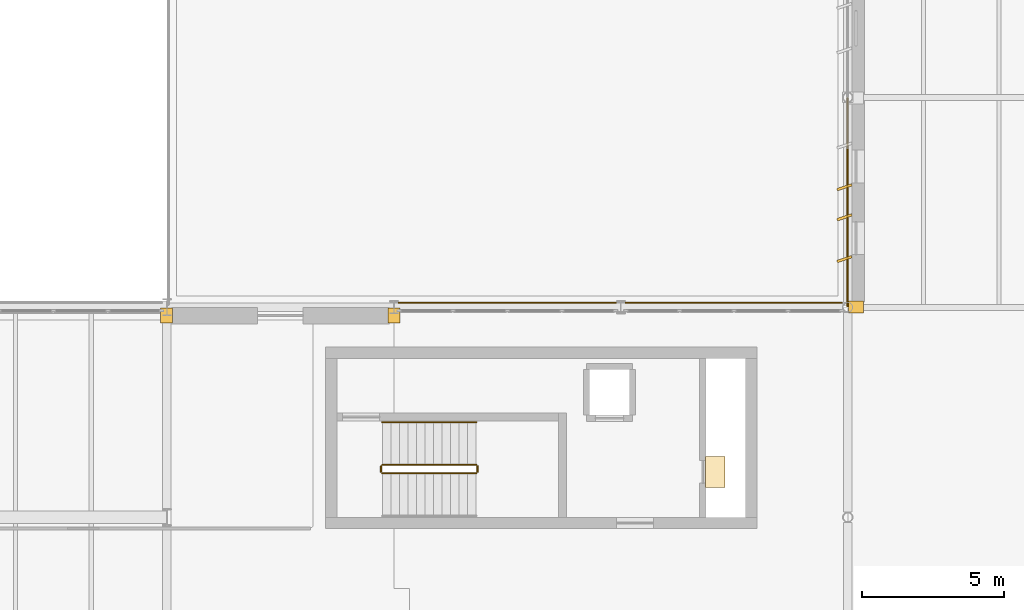
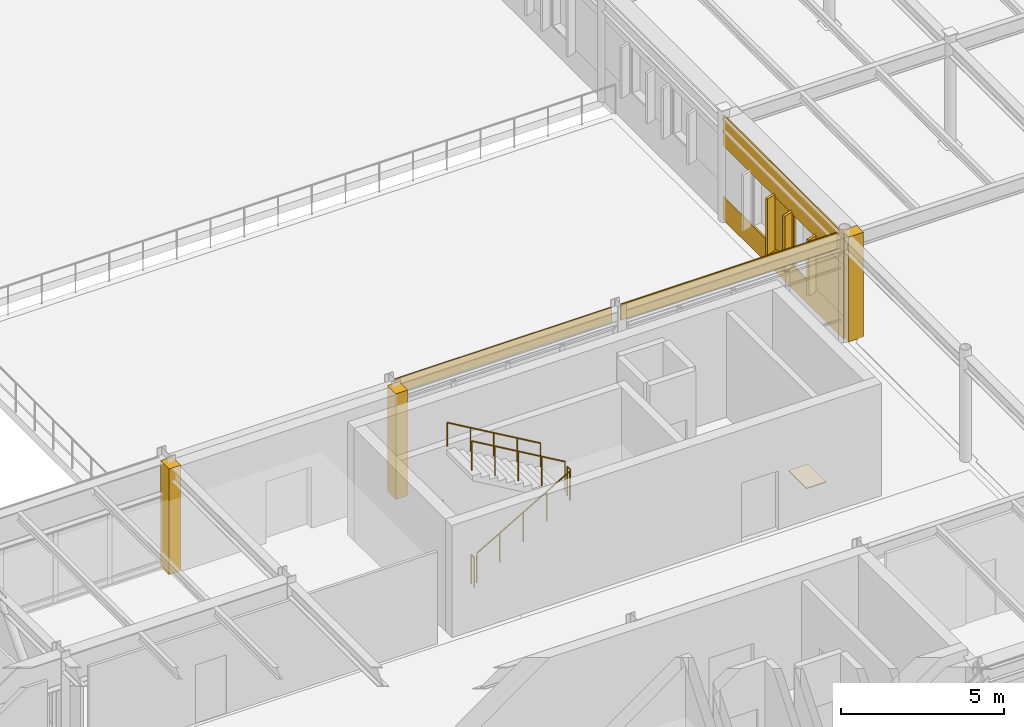
# One storey, part 53 of 63: 13 coverings, 5 railings.
"""IFC4 building model written with IfcOpenShell, lengths in metres."""

from ifc_helpers import new_model, si_unit, direction, frame, frame_2d, origin, origin_2d, place, context, subcontext, project, spatial, polyline, rectangle, circle, outline, extrude, material, layer, layer_set, type_object, element, save


model = new_model("IFC4")

# Units and contexts
model_context = context("Model", 3, precision=1e-05, world=origin(), true_north=direction((0.0, 1.0)))
body_context = subcontext(model_context, "Body", "Model", "MODEL_VIEW")
ifc_project = project(units=[si_unit("LENGTHUNIT", "METRE"), si_unit("AREAUNIT", "SQUARE_METRE"), si_unit("VOLUMEUNIT", "CUBIC_METRE"), si_unit("PLANEANGLEUNIT", "RADIAN"), si_unit("MASSUNIT", "GRAM", prefix="KILO")], contexts=[model_context])

# Site, building, storey
site_placement = place(None, origin())
site = spatial("IfcSite", under=ifc_project, at=site_placement, CompositionType="ELEMENT")
building_placement = place(site_placement, origin())
building = spatial("IfcBuilding", under=site, at=building_placement, Name="Valkorina Park Police Headquarters", CompositionType="ELEMENT")
storey_placement = place(building_placement, frame((0.0, 0.0, 9.89990234375)))
storey = spatial("IfcBuildingStorey", under=building, at=storey_placement, Name="L03", CompositionType="ELEMENT", Elevation=9.89990234375)

# Coverings
ifc_material_1 = material(Name="Precast concrete C40/50", Category="concrete")
ifc_layer_1 = layer(ifc_material_1, 0.044921875)
ifc_layer_set_1 = layer_set([ifc_layer_1], Name="Precast concrete C40/50")
covering_type_1 = type_object("IfcCoveringType", Name="COV-CLAD-DOLOMITE", PredefinedType="CLADDING", material=ifc_layer_set_1)
for number, where, z_axis, x_axis, name in (
    (1, (32.7900390625, 58.909912109375, 0.0), (0.0, 0.0, 1.0), (1.0, 0.0, 0.0), "L03 Exterior Joint Closure Pilaster A 1743"),
    (2, (40.81005859375, 58.909912109375, 0.0), (0.0, 0.0, 1.0), (1.0, 0.0, 0.0), "L03 Exterior Joint Closure Pilaster B 1744"),
):
    element("IfcCovering", number, at=place(storey_placement, frame(where, z_axis=z_axis, x_axis=x_axis)), inside=storey, type_object=covering_type_1, Name=name, PredefinedType="CLADDING", context=body_context, shape_type="SweptSolid", body=[
        extrude(rectangle(XDim=0.419921875, YDim=0.52197265625, at=origin_2d()), origin(), (0.0, 0.0, 1.0), 3.955078125),
    ])
covering_1_placement = place(storey_placement, frame((40.9599609375, 59.360107421875, 3.420166015625), z_axis=(0.0, 0.0, 1.0), x_axis=(1.0, 0.0, 0.0)))
element("IfcCovering", 3, at=covering_1_placement, inside=storey, type_object=covering_type_1, Name="L03 Spandrel Beam Insulated Fascia 1745", PredefinedType="CLADDING", context=body_context, shape_type="SweptSolid", body=[
    extrude(rectangle(XDim=7.679931640625, YDim=0.044921875, at=frame_2d((3.83984375, 0.0))), origin(), (0.0, 0.0, 1.0), 0.534912109375),
])
covering_2_placement = place(storey_placement, frame((48.9599609375, 59.360107421875, 3.360107421875), z_axis=(0.0, 0.0, 1.0), x_axis=(1.0, 0.0, 0.0)))
element("IfcCovering", 4, at=covering_2_placement, inside=storey, type_object=covering_type_1, Name="L03 Spandrel Beam Insulated Fascia 1746", PredefinedType="CLADDING", context=body_context, shape_type="SweptSolid", body=[
    extrude(rectangle(XDim=7.65234375, YDim=0.044921875, at=frame_2d((3.826171875, 0.0))), origin(), (0.0, 0.0, 1.0), 0.594970703125),
])
covering_3_placement = place(storey_placement, frame((57.090087890625, 59.2177734375, 0.000244140625), z_axis=(0.0, 0.0, 1.0), x_axis=(0.0, 1.0, 0.0)))
element("IfcCovering", 5, at=covering_3_placement, inside=storey, type_object=covering_type_1, Name="L03 Exterior Joint Closure Pilaster A 1747", PredefinedType="CLADDING", context=body_context, shape_type="SweptSolid", body=[
    extrude(rectangle(XDim=0.419921875, YDim=0.52197265625, at=origin_2d()), origin(), (0.0, 0.0, 1.0), 3.919921875),
])
for number, where, z_axis, x_axis, name in (
    (6, (56.679931640625, 60.900634765625, 0.7802734375), (0.0, 0.0, 1.0), (-0.948323655206, -0.317304656405, 0.0), "Slanted 18.5-deg Precast Window Slot Fin 1749"),
    (7, (56.679931640625, 62.37060546875, 0.7802734375), (0.0, 0.0, 1.0), (-0.948323655206, -0.317304656405, 0.0), "Slanted 18.5-deg Precast Window Slot Fin 1750"),
    (8, (56.679931640625, 63.429443359375, 0.7802734375), (0.0, 0.0, 1.0), (-0.948323655206, -0.317304656405, 0.0), "Slanted 18.5-deg Precast Window Slot Fin 1751"),
):
    element("IfcCovering", number, at=place(storey_placement, frame(where, z_axis=z_axis, x_axis=x_axis)), inside=storey, type_object=covering_type_1, Name=name, PredefinedType="CLADDING", context=body_context, shape_type="SweptSolid", body=[
        extrude(rectangle(XDim=0.5400390625, YDim=0.090087890625, at=origin_2d()), origin(), (0.0, 0.0, 1.0), 2.090087890625),
    ])
covering_4_placement = place(storey_placement, frame((56.784912109375, 59.219970703125, 0.0), z_axis=(0.0, 0.0, 1.0), x_axis=(0.0, 1.0, 0.0)))
element("IfcCovering", 9, at=covering_4_placement, inside=storey, type_object=covering_type_1, Name="L03 Calm Concrete Base Sill Spandrel 1753", PredefinedType="CLADDING", context=body_context, shape_type="SweptSolid", body=[
    extrude(rectangle(XDim=7.360107421875, YDim=0.044921875, at=frame_2d((3.68017578125, 0.0))), origin(), (0.0, 0.0, 1.0), 0.8701171875),
])
covering_5_placement = place(storey_placement, frame((56.784912109375, 59.219970703125, 2.780029296875), z_axis=(0.0, 0.0, 1.0), x_axis=(0.0, 1.0, 0.0)))
element("IfcCovering", 10, at=covering_5_placement, inside=storey, type_object=covering_type_1, Name="L03 Calm Concrete Base Lintel Spandrel 1754", PredefinedType="CLADDING", context=body_context, shape_type="SweptSolid", body=[
    extrude(rectangle(XDim=7.360107421875, YDim=0.044921875, at=frame_2d((3.68017578125, 0.0))), origin(), (0.0, 0.0, 1.0), 1.14013671875),
])
covering_6_placement = place(storey_placement, frame((56.784912109375, 59.219970703125, 0.8701171875), z_axis=(0.0, 0.0, 1.0), x_axis=(0.0, 1.0, 0.0)))
element("IfcCovering", 11, at=covering_6_placement, inside=storey, type_object=covering_type_1, Name="L03 Calm Concrete Base Slot Pier 1755", PredefinedType="CLADDING", context=body_context, shape_type="SweptSolid", body=[
    extrude(rectangle(XDim=1.79052734375, YDim=0.044921875, at=frame_2d((0.895263671875, 0.0))), origin(), (0.0, 0.0, 1.0), 1.909912109375),
])
covering_7_placement = place(storey_placement, frame((56.784912109375, 62.260498046875, 0.8701171875), z_axis=(0.0, 0.0, 1.0), x_axis=(0.0, 1.0, 0.0)))
element("IfcCovering", 12, at=covering_7_placement, inside=storey, type_object=covering_type_1, Name="L03 Calm Concrete Base Slot Pier 1756", PredefinedType="CLADDING", context=body_context, shape_type="SweptSolid", body=[
    extrude(rectangle(XDim=1.27880859375, YDim=0.044921875, at=frame_2d((0.639404296875, 0.0))), origin(), (0.0, 0.0, 1.0), 1.909912109375),
])
ifc_material_2 = material(Name="Resin terrazzo flooring")
ifc_layer_2 = layer(ifc_material_2, 0.030029296875)
ifc_layer_set_2 = layer_set([ifc_layer_2], Name="Resin terrazzo flooring")
covering_type_2 = type_object("IfcCoveringType", Name="COV-FLOOR-TERRAZZO", PredefinedType="FLOORING", material=ifc_layer_set_2)
covering_8_placement = place(storey_placement, origin())
element("IfcCovering", 13, at=covering_8_placement, inside=storey, type_object=covering_type_2, Name="Core C3 L03 Riser Inspection Threshold Grate", PredefinedType="FLOORING", context=body_context, shape_type="SweptSolid", body=[
    extrude(outline(polyline([(52.47998046875, 52.85009765625), (52.47998046875, 53.949951171875), (51.780029296875, 53.949951171875), (51.780029296875, 52.85009765625), (52.47998046875, 52.85009765625)])), origin(), (0.0, 0.0, 1.0), 0.030029296875),
])

# Railings
ifc_material_3 = material(Name="Stainless steel EN 1.4404", Category="steel")
railing_type_1 = type_object("IfcRailingType", Name="RL-GUARD-INT-1100", PredefinedType="BALUSTRADE", material=ifc_material_3)
railing_1_placement = place(storey_placement, frame((40.39990234375, 53.35009765625, 0.175048828125)))
element("IfcRailing", 14, at=railing_1_placement, inside=storey, type_object=railing_type_1, Name="L03 Core C3 Stair Guard 1", PredefinedType="BALUSTRADE", context=body_context, shape_type="SweptSolid", body=[
    extrude(circle(Radius=0.02392578125, at=origin_2d()), frame((0.0, 0.0, 1.09619140625), z_axis=(0.863776583165, 0.0, 0.503874998761), x_axis=(0.0, 1.0, 0.0)), (0.0, 0.0, 1.0), 3.820556640625),
    extrude(circle(Radius=0.02099609375, at=origin_2d()), origin(), (0.0, 0.0, 1.0), 1.072021484375),
    extrude(circle(Radius=0.02099609375, at=origin_2d()), frame((0.824951171875, 0.0, 0.481201171875)), (0.0, 0.0, 1.0), 1.072021484375),
    extrude(circle(Radius=0.02099609375, at=origin_2d()), frame((1.64990234375, 0.0, 0.96240234375)), (0.0, 0.0, 1.0), 1.072021484375),
    extrude(circle(Radius=0.02099609375, at=origin_2d()), frame((2.47509765625, 0.0, 1.44384765625)), (0.0, 0.0, 1.0), 1.072021484375),
    extrude(circle(Radius=0.02099609375, at=origin_2d()), frame((3.300048828125, 0.0, 1.925048828125)), (0.0, 0.0, 1.0), 1.072021484375),
])
railing_2_placement = place(storey_placement, frame((43.75, 53.39990234375, 2.10009765625)))
element("IfcRailing", 15, at=railing_2_placement, inside=storey, type_object=railing_type_1, Name="L03 Core C3 Stair Guard 2", PredefinedType="BALUSTRADE", context=body_context, shape_type="SweptSolid", body=[
    extrude(circle(Radius=0.02392578125, at=origin_2d()), frame((0.0, 0.0, 1.09619140625), z_axis=(0.0, 1.0, 0.0), x_axis=(-1.0, 0.0, 0.0)), (0.0, 0.0, 1.0), 0.2001953125),
    extrude(circle(Radius=0.02099609375, at=origin_2d()), origin(), (0.0, 0.0, 1.0), 1.072021484375),
    extrude(circle(Radius=0.02099609375, at=origin_2d()), frame((0.0, 0.2001953125, 0.0)), (0.0, 0.0, 1.0), 1.072021484375),
])
railing_3_placement = place(storey_placement, frame((43.699951171875, 53.64990234375, 2.275146484375)))
element("IfcRailing", 16, at=railing_3_placement, inside=storey, type_object=railing_type_1, Name="L03 Core C3 Stair Guard 3", PredefinedType="BALUSTRADE", context=body_context, shape_type="SweptSolid", body=[
    extrude(circle(Radius=0.02392578125, at=origin_2d()), frame((0.0, 0.0, 1.09619140625), z_axis=(-0.863776583165, 0.0, 0.503874998761), x_axis=(0.0, -1.0, 0.0)), (0.0, 0.0, 1.0), 3.820556640625),
    extrude(circle(Radius=0.02099609375, at=origin_2d()), origin(), (0.0, 0.0, 1.0), 1.072021484375),
    extrude(circle(Radius=0.02099609375, at=origin_2d()), frame((-0.824951171875, 0.0, 0.481201171875)), (0.0, 0.0, 1.0), 1.072021484375),
    extrude(circle(Radius=0.02099609375, at=origin_2d()), frame((-1.64990234375, 0.0, 0.96240234375)), (0.0, 0.0, 1.0), 1.072021484375),
    extrude(circle(Radius=0.02099609375, at=origin_2d()), frame((-2.47509765625, 0.0, 1.44384765625)), (0.0, 0.0, 1.0), 1.072021484375),
    extrude(circle(Radius=0.02099609375, at=origin_2d()), frame((-3.300048828125, 0.0, 1.925048828125)), (0.0, 0.0, 1.0), 1.072021484375),
])
railing_4_placement = place(storey_placement, frame((40.35009765625, 53.39990234375, 0.0)))
element("IfcRailing", 17, at=railing_4_placement, inside=storey, type_object=railing_type_1, Name="L03 Core C3 Stair Guard 4", PredefinedType="BALUSTRADE", context=body_context, shape_type="SweptSolid", body=[
    extrude(circle(Radius=0.02392578125, at=origin_2d()), frame((0.0, 0.0, 1.09619140625), z_axis=(0.0, 1.0, 0.0), x_axis=(-1.0, 0.0, 0.0)), (0.0, 0.0, 1.0), 0.2001953125),
    extrude(circle(Radius=0.02099609375, at=origin_2d()), origin(), (0.0, 0.0, 1.0), 1.072021484375),
    extrude(circle(Radius=0.02099609375, at=origin_2d()), frame((0.0, 0.2001953125, 0.0)), (0.0, 0.0, 1.0), 1.072021484375),
])
railing_type_2 = type_object("IfcRailingType", Name="RL-HANDRAIL-900", PredefinedType="HANDRAIL", material=ifc_material_3)
railing_5_placement = place(storey_placement, frame((43.699951171875, 55.14990234375, 2.275146484375)))
element("IfcRailing", 18, at=railing_5_placement, inside=storey, type_object=railing_type_2, Name="L03 Core C3 Stair Handrail 2", PredefinedType="HANDRAIL", context=body_context, shape_type="SweptSolid", body=[
    extrude(circle(Radius=0.02392578125, at=origin_2d()), frame((0.0, 0.0, 0.8759765625), z_axis=(-0.863776583165, 0.0, 0.503874998761), x_axis=(0.0, -1.0, 0.0)), (0.0, 0.0, 1.0), 3.820556640625),
    extrude(circle(Radius=0.02099609375, at=origin_2d()), origin(), (0.0, 0.0, 1.0), 0.851806640625),
    extrude(circle(Radius=0.02099609375, at=origin_2d()), frame((-0.824951171875, 0.0, 0.481201171875)), (0.0, 0.0, 1.0), 0.851806640625),
    extrude(circle(Radius=0.02099609375, at=origin_2d()), frame((-1.64990234375, 0.0, 0.96240234375)), (0.0, 0.0, 1.0), 0.851806640625),
    extrude(circle(Radius=0.02099609375, at=origin_2d()), frame((-2.47509765625, 0.0, 1.44384765625)), (0.0, 0.0, 1.0), 0.851806640625),
    extrude(circle(Radius=0.02099609375, at=origin_2d()), frame((-3.300048828125, 0.0, 1.925048828125)), (0.0, 0.0, 1.0), 0.851806640625),
])

save(model, "model.ifc")
